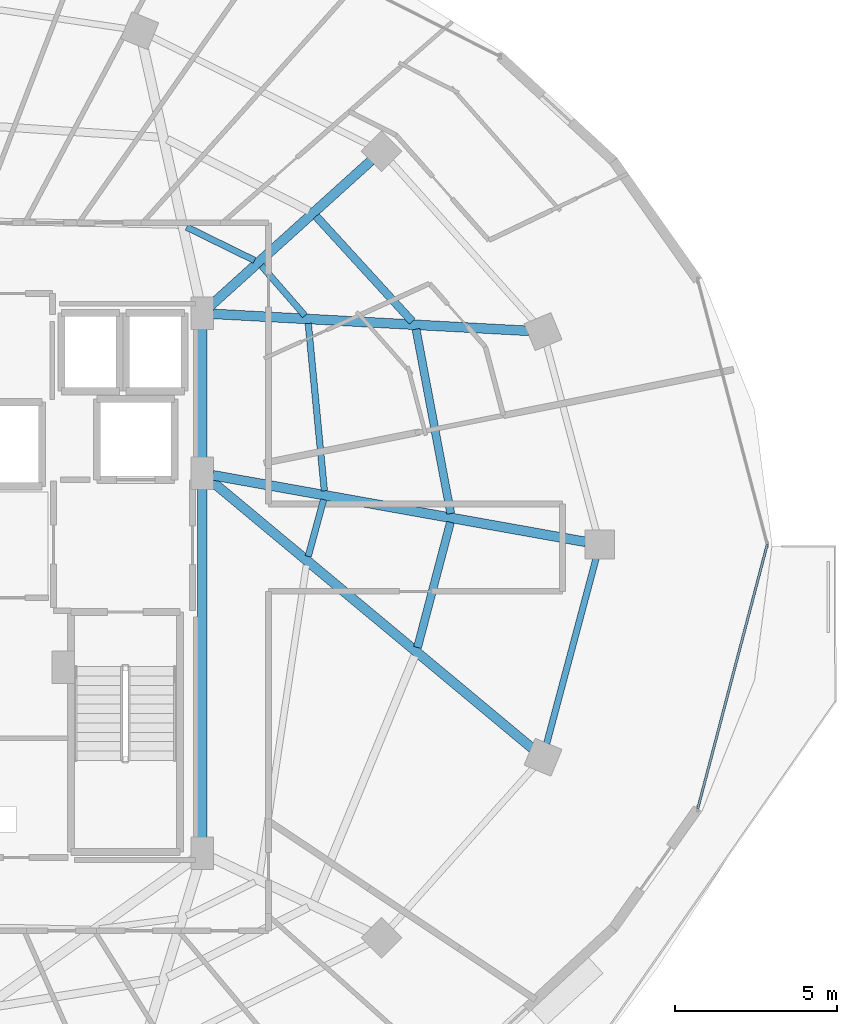
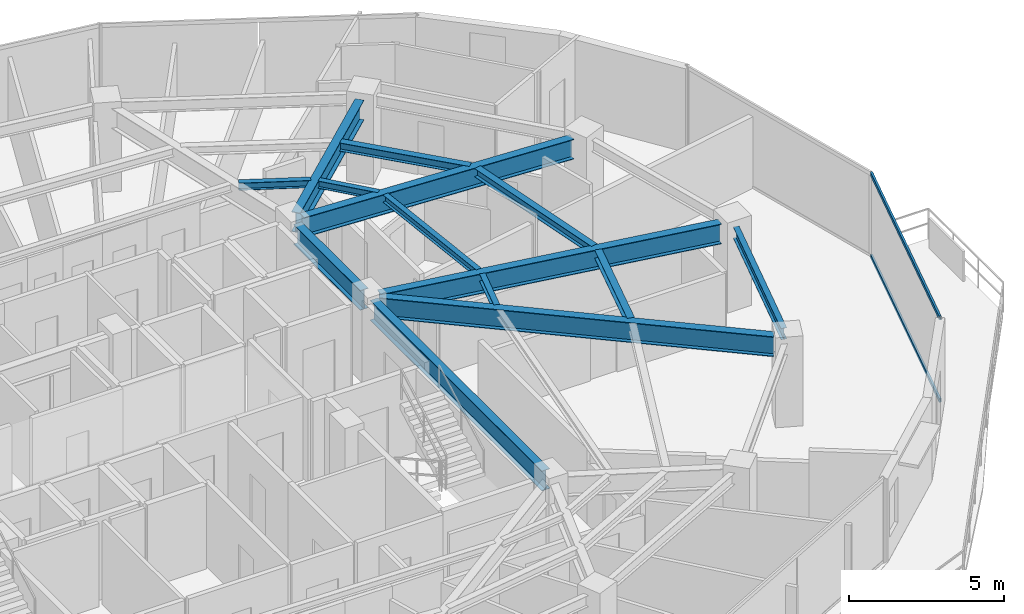
# One storey, part 14 of 34: 14 beams, 2 members, 1 element without a shape of its own.
"""IFC4 building model written with IfcOpenShell, lengths in metres."""

from ifc_helpers import new_model, si_unit, direction, frame, origin, origin_2d, place, context, subcontext, project, spatial, hollow_rectangle, i_section, extrude, material, material_profile, profile_set, type_object, element, aggregate, save


model = new_model("IFC4")

# Units and contexts
model_context = context("Model", 3, precision=1e-05, world=origin(), true_north=direction((0.0, 1.0)))
body_context = subcontext(model_context, "Body", "Model", "MODEL_VIEW")
ifc_project = project(units=[si_unit("LENGTHUNIT", "METRE"), si_unit("AREAUNIT", "SQUARE_METRE"), si_unit("VOLUMEUNIT", "CUBIC_METRE"), si_unit("PLANEANGLEUNIT", "RADIAN"), si_unit("MASSUNIT", "GRAM", prefix="KILO")], contexts=[model_context])

# Site, building, storey
site_placement = place(None, origin())
site = spatial("IfcSite", under=ifc_project, at=site_placement, CompositionType="ELEMENT")
building_placement = place(site_placement, origin())
building = spatial("IfcBuilding", under=site, at=building_placement, Name="Vorneva Point Tower", CompositionType="ELEMENT")
storey_placement = place(building_placement, frame((0.0, 0.0, 214.300048828125)))
storey = spatial("IfcBuildingStorey", under=building, at=storey_placement, Name="L58", CompositionType="ELEMENT", Elevation=214.300048828125)

# Beams
ifc_material_1 = material(Name="Steel S355", Category="steel")
ifc_material_profile_1 = material_profile(ifc_material_1, i_section(OverallWidth=0.300048828125, OverallDepth=0.7880859375, WebThickness=0.014404296875, FlangeThickness=0.02197265625, at=origin_2d()), Name="80Sh1")
ifc_profile_set_1 = profile_set([ifc_material_profile_1], Name="Steel S355")
beam_type_1 = type_object("IfcBeamType", Name="BM-GRD-80Sh1", PredefinedType="USERDEFINED", material=ifc_profile_set_1)
beam_1_placement = place(storey_placement, frame((60.618896484375, 26.0771484375, 2.89599609375), z_axis=(-0.984378602255, 0.176064668298, 0.0), x_axis=(-0.176064668298, -0.984378602255, 0.0)))
element("IfcBeam", 1, at=beam_1_placement, inside=storey, type_object=beam_type_1, Name="L58 Radial Primary Girder 01", ObjectType="GIRDER", PredefinedType="USERDEFINED", context=body_context, shape_type="SweptSolid", body=[
    extrude(i_section(OverallWidth=0.300048828125, OverallDepth=0.7880859375, WebThickness=0.014404296875, FlangeThickness=0.02197265625, at=origin_2d()), origin(), (0.0, 0.0, 1.0), 11.71728515625),
])
beam_2_placement = place(storey_placement, frame((58.85791015625, 32.605712890625, 2.89599609375), z_axis=(-0.998554028182, 0.053757351146, 0.0), x_axis=(-0.053757351146, -0.998554028182, 0.0)))
element("IfcBeam", 2, at=beam_2_placement, inside=storey, type_object=beam_type_1, Name="L58 Radial Primary Girder 02", ObjectType="GIRDER", PredefinedType="USERDEFINED", context=body_context, shape_type="SweptSolid", body=[
    extrude(i_section(OverallWidth=0.300048828125, OverallDepth=0.7880859375, WebThickness=0.014404296875, FlangeThickness=0.02197265625, at=origin_2d()), origin(), (0.0, 0.0, 1.0), 9.782470703125),
])
beam_3_placement = place(storey_placement, frame((53.973876953125, 37.86865234375, 2.89599609375), z_axis=(-0.742089778537, -0.670300500217, 0.0), x_axis=(0.670300500217, -0.742089778537, 0.0)))
element("IfcBeam", 3, at=beam_3_placement, inside=storey, type_object=beam_type_1, Name="L58 Radial Primary Girder 03", ObjectType="GIRDER", PredefinedType="USERDEFINED", context=body_context, shape_type="SweptSolid", body=[
    extrude(i_section(OverallWidth=0.300048828125, OverallDepth=0.7880859375, WebThickness=0.014404296875, FlangeThickness=0.02197265625, at=origin_2d()), origin(), (0.0, 0.0, 1.0), 6.699462890625),
])
beam_4_placement = place(storey_placement, frame((58.958740234375, 19.697998046875, 2.89599609375), z_axis=(-0.768417564517, 0.639948784311, 0.0), x_axis=(-0.639948784311, -0.768417564517, 0.0)))
element("IfcBeam", 4, at=beam_4_placement, inside=storey, type_object=beam_type_1, Name="L58 Radial Primary Girder 16", ObjectType="GIRDER", PredefinedType="USERDEFINED", context=body_context, shape_type="SweptSolid", body=[
    extrude(i_section(OverallWidth=0.300048828125, OverallDepth=0.7880859375, WebThickness=0.014404296875, FlangeThickness=0.02197265625, at=origin_2d()), origin(), (0.0, 0.0, 1.0), 12.945556640625),
])
beam_5_placement = place(storey_placement, frame((48.75, 16.77001953125, 2.89599609375), z_axis=(0.0, 1.0, 0.0), x_axis=(-1.0, 0.0, 0.0)))
element("IfcBeam", 5, at=beam_5_placement, inside=storey, type_object=beam_type_1, Name="L58 Core Tie Girder CT3", ObjectType="GIRDER", PredefinedType="USERDEFINED", context=body_context, shape_type="SweptSolid", body=[
    extrude(i_section(OverallWidth=0.300048828125, OverallDepth=0.7880859375, WebThickness=0.014404296875, FlangeThickness=0.02197265625, at=origin_2d()), origin(), (0.0, 0.0, 1.0), 11.10986328125),
])
beam_6_placement = place(storey_placement, frame((48.75, 28.52001953125, 2.89599609375), z_axis=(0.0, 1.0, 0.0), x_axis=(-1.0, 0.0, 0.0)))
element("IfcBeam", 6, at=beam_6_placement, inside=storey, type_object=beam_type_1, Name="L58 Core Tie Girder CT4", ObjectType="GIRDER", PredefinedType="USERDEFINED", context=body_context, shape_type="SweptSolid", body=[
    extrude(i_section(OverallWidth=0.300048828125, OverallDepth=0.7880859375, WebThickness=0.014404296875, FlangeThickness=0.02197265625, at=origin_2d()), origin(), (0.0, 0.0, 1.0), 4.31005859375),
])
ifc_material_profile_2 = material_profile(ifc_material_1, i_section(OverallWidth=0.199951171875, OverallDepth=0.291015625, WebThickness=0.008056640625, FlangeThickness=0.010986328125, at=origin_2d()), Name="30Sh1")
ifc_profile_set_2 = profile_set([ifc_material_profile_2], Name="Steel S355")
beam_type_2 = type_object("IfcBeamType", Name="BM-SEC-30Sh1", PredefinedType="BEAM", material=ifc_profile_set_2)
beam_7_placement = place(storey_placement, frame((52.53173828125, 27.65869140625, 3.14453125), z_axis=(-0.095841188908, 0.995396637783, 0.0), x_axis=(-0.995396637783, -0.095841188908, 0.0)))
element("IfcBeam", 7, at=beam_7_placement, inside=storey, type_object=beam_type_2, Name="L58 Secondary Floor Beam 2.01", PredefinedType="BEAM", context=body_context, shape_type="SweptSolid", body=[
    extrude(i_section(OverallWidth=0.199951171875, OverallDepth=0.291015625, WebThickness=0.008056640625, FlangeThickness=0.010986328125, at=origin_2d()), origin(), (0.0, 0.0, 1.0), 5.20166015625),
])
beam_8_placement = place(storey_placement, frame((51.929443359375, 33.077880859375, 3.14453125), z_axis=(-0.657025730744, 0.753868151032, 0.0), x_axis=(-0.753868151032, -0.657025730744, 0.0)))
element("IfcBeam", 8, at=beam_8_placement, inside=storey, type_object=beam_type_2, Name="L58 Secondary Floor Beam 2.02", PredefinedType="BEAM", context=body_context, shape_type="SweptSolid", body=[
    extrude(i_section(OverallWidth=0.199951171875, OverallDepth=0.291015625, WebThickness=0.008056640625, FlangeThickness=0.010986328125, at=origin_2d()), origin(), (0.0, 0.0, 1.0), 2.047119140625),
])
beam_9_placement = place(storey_placement, frame((50.369873046875, 34.785888671875, 3.14453125), z_axis=(-0.897704429199, 0.440598181789, 0.0), x_axis=(-0.440598181789, -0.897704429199, 0.0)))
element("IfcBeam", 9, at=beam_9_placement, inside=storey, type_object=beam_type_2, Name="L58 Secondary Floor Beam 2.03", PredefinedType="BEAM", context=body_context, shape_type="SweptSolid", body=[
    extrude(i_section(OverallWidth=0.199951171875, OverallDepth=0.291015625, WebThickness=0.008056640625, FlangeThickness=0.010986328125, at=origin_2d()), origin(), (0.0, 0.0, 1.0), 2.336669921875),
])
beam_10_placement = place(storey_placement, frame((52.03173828125, 25.63037109375, 3.14453125), z_axis=(0.261948847975, 0.965081758736, 0.0), x_axis=(-0.965081758736, 0.261948847975, 0.0)))
element("IfcBeam", 10, at=beam_10_placement, inside=storey, type_object=beam_type_2, Name="L58 Secondary Floor Beam 2.16", PredefinedType="BEAM", context=body_context, shape_type="SweptSolid", body=[
    extrude(i_section(OverallWidth=0.199951171875, OverallDepth=0.291015625, WebThickness=0.008056640625, FlangeThickness=0.010986328125, at=origin_2d()), origin(), (0.0, 0.0, 1.0), 1.821044921875),
])
ifc_material_profile_3 = material_profile(ifc_material_1, i_section(OverallWidth=0.2490234375, OverallDepth=0.333984375, WebThickness=0.008056640625, FlangeThickness=0.010986328125, at=origin_2d()), Name="35Sh1")
ifc_profile_set_3 = profile_set([ifc_material_profile_3], Name="Steel S355")
beam_type_3 = type_object("IfcBeamType", Name="BM-SEC-35Sh1", PredefinedType="BEAM", material=ifc_profile_set_3)
beam_11_placement = place(storey_placement, frame((56.44091796875, 26.955322265625, 3.123046875), z_axis=(-0.1850300408, 0.982732865026, 0.0), x_axis=(-0.982732865026, -0.1850300408, 0.0)))
element("IfcBeam", 11, at=beam_11_placement, inside=storey, type_object=beam_type_3, Name="L58 Secondary Floor Beam 1.01", PredefinedType="BEAM", context=body_context, shape_type="SweptSolid", body=[
    extrude(i_section(OverallWidth=0.2490234375, OverallDepth=0.333984375, WebThickness=0.008056640625, FlangeThickness=0.010986328125, at=origin_2d()), origin(), (0.0, 0.0, 1.0), 5.804443359375),
])
beam_12_placement = place(storey_placement, frame((55.248291015625, 32.89697265625, 3.123046875), z_axis=(-0.674381040012, 0.738383513407, 0.0), x_axis=(-0.738383513407, -0.674381040012, 0.0)))
element("IfcBeam", 12, at=beam_12_placement, inside=storey, type_object=beam_type_3, Name="L58 Secondary Floor Beam 1.02", PredefinedType="BEAM", context=body_context, shape_type="SweptSolid", body=[
    extrude(i_section(OverallWidth=0.2490234375, OverallDepth=0.333984375, WebThickness=0.008056640625, FlangeThickness=0.010986328125, at=origin_2d()), origin(), (0.0, 0.0, 1.0), 4.40576171875),
])
beam_13_placement = place(storey_placement, frame((55.412841796875, 22.81396484375, 3.123046875), z_axis=(0.254382249657, 0.96710375403, 0.0), x_axis=(-0.96710375403, 0.254382249657, 0.0)))
element("IfcBeam", 13, at=beam_13_placement, inside=storey, type_object=beam_type_3, Name="L58 Secondary Floor Beam 1.16", PredefinedType="BEAM", context=body_context, shape_type="SweptSolid", body=[
    extrude(i_section(OverallWidth=0.2490234375, OverallDepth=0.333984375, WebThickness=0.008056640625, FlangeThickness=0.010986328125, at=origin_2d()), origin(), (0.0, 0.0, 1.0), 4.004150390625),
])
ifc_material_profile_4 = material_profile(ifc_material_1, i_section(OverallWidth=0.198974609375, OverallDepth=0.446044921875, WebThickness=0.008056640625, FlangeThickness=0.011962890625, at=origin_2d()), Name="45B1")
ifc_profile_set_4 = profile_set([ifc_material_profile_4], Name="Steel S355")
beam_type_4 = type_object("IfcBeamType", Name="BM-SPN-45B1", PredefinedType="SPANDREL", material=ifc_profile_set_4)
beam_14_placement = place(storey_placement, frame((59.407470703125, 19.838134765625, 3.06689453125), z_axis=(0.257578258003, 0.966257440336, 0.0), x_axis=(-0.966257440336, 0.257578258003, 0.0)))
element("IfcBeam", 14, at=beam_14_placement, inside=storey, type_object=beam_type_4, Name="L58 Perimeter Spandrel Ring Beam 16", PredefinedType="SPANDREL", context=body_context, shape_type="SweptSolid", body=[
    extrude(i_section(OverallWidth=0.198974609375, OverallDepth=0.446044921875, WebThickness=0.008056640625, FlangeThickness=0.011962890625, at=origin_2d()), origin(), (0.0, 0.0, 1.0), 5.94189453125),
])

# Curtain wall, members
ifc_material_2 = material(Name="Pale anodised aluminium", Category="aluminium")
curtain_wall_type = type_object("IfcCurtainWallType", Name="CW-RES-SYS", PredefinedType="NOTDEFINED", material=ifc_material_2)
curtain_wall_placement = place(storey_placement, origin())
curtain_wall = element("IfcCurtainWall", 15, at=curtain_wall_placement, inside=storey, type_object=curtain_wall_type, Name="L58 Unitised Curtain Wall CW-L58-R01", PredefinedType="NOTDEFINED")
ifc_material_profile_5 = material_profile(ifc_material_2, hollow_rectangle(XDim=0.074951171875, YDim=0.14990234375, WallThickness=0.00390625, at=origin_2d()), Name="AL-TRN 150x75x4")
ifc_profile_set_5 = profile_set([ifc_material_profile_5], Name="Pale anodised aluminium")
member_type = type_object("IfcMemberType", Name="CW-TRN-150", PredefinedType="USERDEFINED", material=ifc_profile_set_5)
member_1_placement = place(storey_placement, frame((64.0810546875, 17.82958984375, 0.02001953125), z_axis=(0.254362431281, 0.967108966742, 0.0), x_axis=(-0.967108966742, 0.254362431281, 0.0)))
member_1 = element("IfcMember", 16, at=member_1_placement, type_object=member_type, Name="CW-L58-R01 Transom 01.1", ObjectType="TRANSOM", PredefinedType="USERDEFINED", context=body_context, shape_type="SweptSolid", body=[
    extrude(hollow_rectangle(XDim=0.074951171875, YDim=0.14990234375, WallThickness=0.00390625, at=origin_2d()), origin(), (0.0, 0.0, 1.0), 8.4482421875),
])
member_2_placement = place(storey_placement, frame((64.0810546875, 17.82958984375, 3.27001953125), z_axis=(0.254362431281, 0.967108966742, 0.0), x_axis=(-0.967108966742, 0.254362431281, 0.0)))
member_2 = element("IfcMember", 17, at=member_2_placement, type_object=member_type, Name="CW-L58-R01 Transom 01.2", ObjectType="TRANSOM", PredefinedType="USERDEFINED", context=body_context, shape_type="SweptSolid", body=[
    extrude(hollow_rectangle(XDim=0.074951171875, YDim=0.14990234375, WallThickness=0.00390625, at=origin_2d()), origin(), (0.0, 0.0, 1.0), 8.4482421875),
])
aggregate(curtain_wall, [member_1, member_2])

save(model, "model.ifc")
